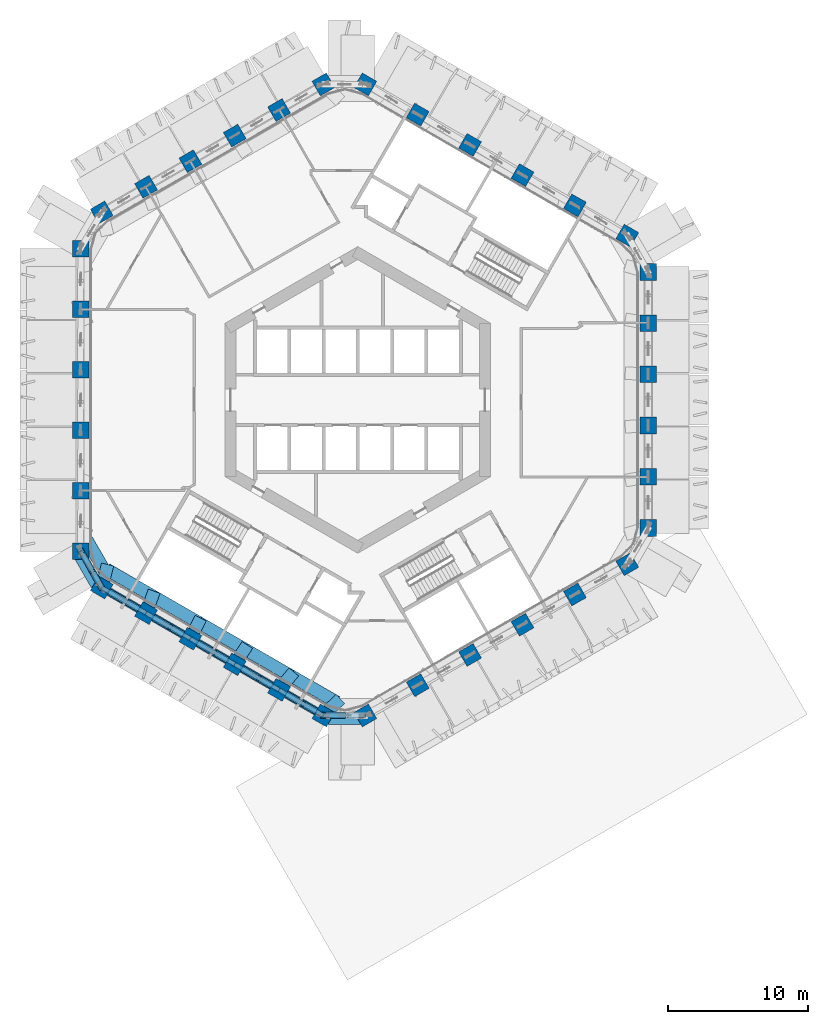
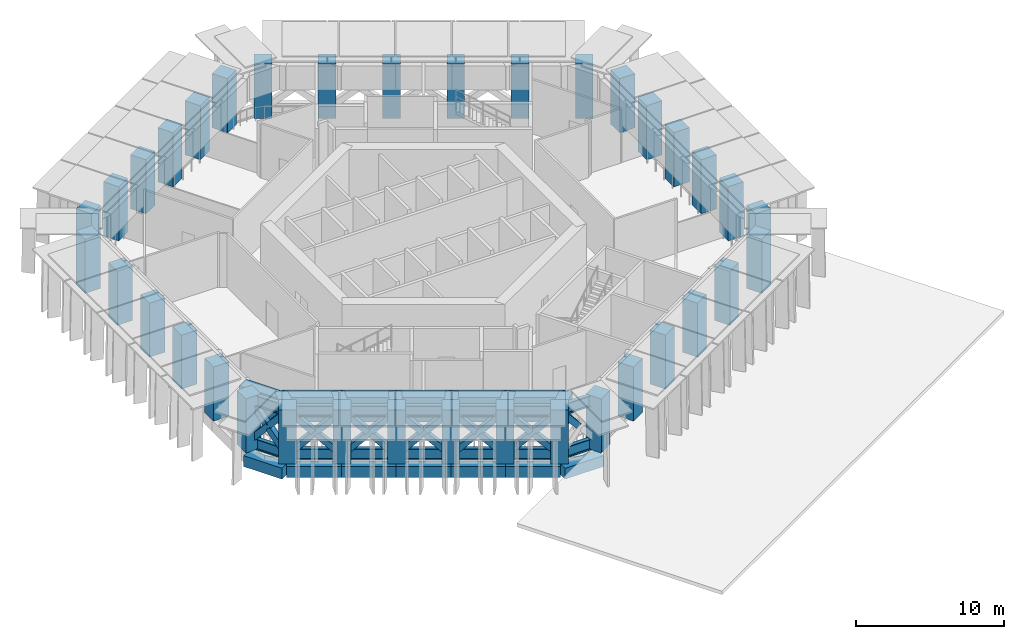
# One storey, part 1 of 16: 36 columns, 33 members, 19 beams.
"""IFC4 building model written with IfcOpenShell, lengths in metres."""

from ifc_helpers import new_model, si_unit, direction, frame, origin, origin_2d, place, context, subcontext, project, spatial, rectangle, hollow_rectangle, i_section, extrude, material, material_profile, profile_set, type_object, element, save


model = new_model("IFC4")

# Units and contexts
model_context = context("Model", 3, precision=1e-05, world=origin(), true_north=direction((0.0, 1.0)))
body_context = subcontext(model_context, "Body", "Model", "MODEL_VIEW")
ifc_project = project(units=[si_unit("LENGTHUNIT", "METRE"), si_unit("AREAUNIT", "SQUARE_METRE"), si_unit("VOLUMEUNIT", "CUBIC_METRE"), si_unit("PLANEANGLEUNIT", "RADIAN"), si_unit("MASSUNIT", "GRAM", prefix="KILO")], contexts=[model_context])

# Site, building, storey
site_placement = place(None, origin())
site = spatial("IfcSite", under=ifc_project, at=site_placement, CompositionType="ELEMENT")
building_placement = place(site_placement, origin())
building = spatial("IfcBuilding", under=site, at=building_placement, Name="Ayvan Gate Tower", CompositionType="ELEMENT")
storey_placement = place(building_placement, frame((0.0, 0.0, 78.300048828125)))
storey = spatial("IfcBuildingStorey", under=building, at=storey_placement, Name="L20", CompositionType="ELEMENT", Elevation=78.300048828125)

# Columns
ifc_material_1 = material(Name="Concrete C70/85", Category="concrete")
ifc_material_profile_1 = material_profile(ifc_material_1, rectangle(XDim=1.199951171875, YDim=1.199951171875, at=origin_2d()), Name="RC 1200x1200")
ifc_profile_set_1 = profile_set([ifc_material_profile_1], Name="Concrete C70/85")
column_type = type_object("IfcColumnType", Name="Tube column RC 1200x1200 C70/85", PredefinedType="COLUMN", material=ifc_profile_set_1)
for number, where, z_axis, x_axis, name in (
    (1, (20.78466796875, -9.158935546875, 0.0), (0.0, 0.0, 1.0), (1.0, 0.0, 0.0), "C-T0-0-L20"),
    (2, (20.78466796875, -5.495361328125, 0.0), (0.0, 0.0, 1.0), (1.0, 0.0, 0.0), "C-T0-1-L20"),
    (3, (20.78466796875, -1.831787109375, 0.0), (0.0, 0.0, 1.0), (1.0, 0.0, 0.0), "C-T0-2-L20"),
    (4, (20.78466796875, 1.831787109375, 0.0), (0.0, 0.0, 1.0), (1.0, 0.0, 0.0), "C-T0-3-L20"),
    (5, (20.78466796875, 5.495361328125, 0.0), (0.0, 0.0, 1.0), (1.0, 0.0, 0.0), "C-T0-4-L20"),
    (6, (20.78466796875, 9.158935546875, 0.0), (0.0, 0.0, 1.0), (1.0, 0.0, 0.0), "C-T0-5-L20"),
    (7, (19.28466796875, 11.757080078125, 0.0), (0.0, 0.0, 1.0), (0.5, 0.866025403784, 0.0), "C-T1-0-L20"),
    (8, (15.53564453125, 13.92138671875, 0.0), (0.0, 0.0, 1.0), (0.5, 0.866025403784, 0.0), "C-T1-1-L20"),
    (9, (11.78662109375, 16.0859375, 0.0), (0.0, 0.0, 1.0), (0.5, 0.866025403784, 0.0), "C-T1-2-L20"),
    (10, (8.03759765625, 18.25048828125, 0.0), (0.0, 0.0, 1.0), (0.5, 0.866025403784, 0.0), "C-T1-3-L20"),
    (11, (4.28857421875, 20.4150390625, 0.0), (0.0, 0.0, 1.0), (0.5, 0.866025403784, 0.0), "C-T1-4-L20"),
    (12, (0.53955078125, 22.579345703125, 0.0), (0.0, 0.0, 1.0), (0.5, 0.866025403784, 0.0), "C-T1-5-L20"),
    (13, (-2.46044921875, 22.579345703125, 0.0), (0.0, 0.0, 1.0), (-0.5, 0.866025403784, 0.0), "C-T2-0-L20"),
    (14, (-5.63330078125, 20.74755859375, 0.0), (0.0, 0.0, 1.0), (-0.5, 0.866025403784, 0.0), "C-T2-1-L20"),
    (15, (-8.805908203125, 18.915771484375, 0.0), (0.0, 0.0, 1.0), (-0.5, 0.866025403784, 0.0), "C-T2-2-L20"),
    (16, (-11.978759765625, 17.084228515625, 0.0), (0.0, 0.0, 1.0), (-0.5, 0.866025403784, 0.0), "C-T2-3-L20"),
    (17, (-15.1513671875, 15.25244140625, 0.0), (0.0, 0.0, 1.0), (-0.5, 0.866025403784, 0.0), "C-T2-4-L20"),
    (18, (-18.32421875, 13.420654296875, 0.0), (0.0, 0.0, 1.0), (-0.5, 0.866025403784, 0.0), "C-T2-5-L20"),
    (19, (-19.82421875, 10.822509765625, 0.0), (0.0, 0.0, 1.0), (-1.0, 0.0, 0.0), "C-T3-0-L20"),
    (20, (-19.82421875, 6.493408203125, 0.0), (0.0, 0.0, 1.0), (-1.0, 0.0, 0.0), "C-T3-1-L20"),
    (21, (-19.82421875, 2.16455078125, 0.0), (0.0, 0.0, 1.0), (-1.0, 0.0, 0.0), "C-T3-2-L20"),
    (22, (-19.82421875, -2.16455078125, 0.0), (0.0, 0.0, 1.0), (-1.0, 0.0, 0.0), "C-T3-3-L20"),
    (23, (-19.82421875, -6.493408203125, 0.0), (0.0, 0.0, 1.0), (-1.0, 0.0, 0.0), "C-T3-4-L20"),
    (24, (-19.82421875, -10.822509765625, 0.0), (0.0, 0.0, 1.0), (-1.0, 0.0, 0.0), "C-T3-5-L20"),
    (25, (-18.32421875, -13.420654296875, 0.0), (0.0, 0.0, 1.0), (-0.5, -0.866025403784, 0.0), "C-T4-0-L20"),
    (26, (-15.1513671875, -15.25244140625, 0.0), (0.0, 0.0, 1.0), (-0.5, -0.866025403784, 0.0), "C-T4-1-L20"),
    (27, (-11.978759765625, -17.084228515625, 0.0), (0.0, 0.0, 1.0), (-0.5, -0.866025403784, 0.0), "C-T4-2-L20"),
    (28, (-8.805908203125, -18.915771484375, 0.0), (0.0, 0.0, 1.0), (-0.5, -0.866025403784, 0.0), "C-T4-3-L20"),
    (29, (-5.63330078125, -20.74755859375, 0.0), (0.0, 0.0, 1.0), (-0.5, -0.866025403784, 0.0), "C-T4-4-L20"),
    (30, (-2.46044921875, -22.579345703125, 0.0), (0.0, 0.0, 1.0), (-0.5, -0.866025403784, 0.0), "C-T4-5-L20"),
    (31, (0.53955078125, -22.579345703125, 0.0), (0.0, 0.0, 1.0), (0.5, -0.866025403784, 0.0), "C-T5-0-L20"),
    (32, (4.28857421875, -20.4150390625, 0.0), (0.0, 0.0, 1.0), (0.5, -0.866025403784, 0.0), "C-T5-1-L20"),
    (33, (8.03759765625, -18.25048828125, 0.0), (0.0, 0.0, 1.0), (0.5, -0.866025403784, 0.0), "C-T5-2-L20"),
    (34, (11.78662109375, -16.0859375, 0.0), (0.0, 0.0, 1.0), (0.5, -0.866025403784, 0.0), "C-T5-3-L20"),
    (35, (15.53564453125, -13.92138671875, 0.0), (0.0, 0.0, 1.0), (0.5, -0.866025403784, 0.0), "C-T5-4-L20"),
    (36, (19.28466796875, -11.757080078125, 0.0), (0.0, 0.0, 1.0), (0.5, -0.866025403784, 0.0), "C-T5-5-L20"),
):
    element("IfcColumn", number, at=place(storey_placement, frame(where, z_axis=z_axis, x_axis=x_axis)), inside=storey, type_object=column_type, Name=name, PredefinedType="COLUMN", context=body_context, shape_type="SweptSolid", body=[
        extrude(rectangle(XDim=1.199951171875, YDim=1.199951171875, at=origin_2d()), origin(), (0.0, 0.0, 1.0), 4.449951171875),
    ])

# Members
ifc_material_2 = material(Name="Steel S460ML", Category="steel")
ifc_material_profile_2 = material_profile(ifc_material_2, hollow_rectangle(XDim=0.449951171875, YDim=0.449951171875, WallThickness=0.02490234375, at=origin_2d()), Name="BOX 450x450x25")
ifc_profile_set_2 = profile_set([ifc_material_profile_2], Name="Steel S460ML")
member_type_1 = type_object("IfcMemberType", Name="Belt truss brace BT1 BOX 450x450x25", PredefinedType="BRACE", material=ifc_profile_set_2)
member_1_placement = place(storey_placement, frame((-19.855224609375, -10.8046875, 0.449951171875), z_axis=(0.333176737302, -0.561786596125, 0.757224591607), x_axis=(0.860112759068, 0.510103951846, 0.0)))
element("IfcMember", 37, at=member_1_placement, inside=storey, type_object=member_type_1, Name="BT1-DA-24", PredefinedType="BRACE", context=body_context, shape_type="SweptSolid", body=[
    extrude(hollow_rectangle(XDim=0.449951171875, YDim=0.449951171875, WallThickness=0.02490234375, at=origin_2d()), origin(), (0.0, 0.0, 1.0), 4.688232421875),
])
member_2_placement = place(storey_placement, frame((-18.355224609375, -13.402587890625, 0.449951171875), z_axis=(-0.312042920447, 0.555977227908, 0.770401543253), x_axis=(-0.872040452844, -0.489433804109, 0.0)))
element("IfcMember", 38, at=member_2_placement, inside=storey, type_object=member_type_1, Name="BT1-DB-24", PredefinedType="BRACE", context=body_context, shape_type="SweptSolid", body=[
    extrude(hollow_rectangle(XDim=0.449951171875, YDim=0.449951171875, WallThickness=0.02490234375, at=origin_2d()), origin(), (0.0, 0.0, 1.0), 2.17578125),
])
member_3_placement = place(storey_placement, frame((-19.1142578125, -12.05029296875, 2.32373046875), z_axis=(-0.312023453947, 0.556054742093, 0.770353482489), x_axis=(-0.872082601227, -0.489358699357, 0.0)))
element("IfcMember", 39, at=member_3_placement, inside=storey, type_object=member_type_1, Name="BT1-DC-24", PredefinedType="BRACE", context=body_context, shape_type="SweptSolid", body=[
    extrude(hollow_rectangle(XDim=0.449951171875, YDim=0.449951171875, WallThickness=0.02490234375, at=origin_2d()), origin(), (0.0, 0.0, 1.0), 2.176025390625),
])
member_4_placement = place(storey_placement, frame((-18.355224609375, -13.402587890625, 0.449951171875), z_axis=(0.626584594899, -0.361785074454, 0.69029218838), x_axis=(0.500027251449, 0.866009669581, 0.0)))
element("IfcMember", 40, at=member_4_placement, inside=storey, type_object=member_type_1, Name="BT1-DA-25", PredefinedType="BRACE", context=body_context, shape_type="SweptSolid", body=[
    extrude(hollow_rectangle(XDim=0.449951171875, YDim=0.449951171875, WallThickness=0.02490234375, at=origin_2d()), origin(), (0.0, 0.0, 1.0), 5.142822265625),
])
member_5_placement = place(storey_placement, frame((-15.169921875, -15.24169921875, 0.449951171875), z_axis=(-0.617182078727, 0.356358202705, 0.70149491307), x_axis=(-0.500029427677, -0.866008413041, 0.0)))
element("IfcMember", 41, at=member_5_placement, inside=storey, type_object=member_type_1, Name="BT1-DB-25", PredefinedType="BRACE", context=body_context, shape_type="SweptSolid", body=[
    extrude(hollow_rectangle(XDim=0.449951171875, YDim=0.449951171875, WallThickness=0.02490234375, at=origin_2d()), origin(), (0.0, 0.0, 1.0), 2.4150390625),
])
member_6_placement = place(storey_placement, frame((-16.81494140625, -14.2919921875, 2.319580078125), z_axis=(-0.61714834978, 0.356325455133, 0.701541220733), x_axis=(-0.500015459501, -0.866016478054, 0.0)))
element("IfcMember", 42, at=member_6_placement, inside=storey, type_object=member_type_1, Name="BT1-DC-25", PredefinedType="BRACE", context=body_context, shape_type="SweptSolid", body=[
    extrude(hollow_rectangle(XDim=0.449951171875, YDim=0.449951171875, WallThickness=0.02490234375, at=origin_2d()), origin(), (0.0, 0.0, 1.0), 2.395263671875),
])
member_7_placement = place(storey_placement, frame((-15.169921875, -15.24169921875, 0.449951171875), z_axis=(0.62427509274, -0.360398868153, 0.693104079066), x_axis=(0.499972401965, 0.866041336931, 0.0)))
element("IfcMember", 43, at=member_7_placement, inside=storey, type_object=member_type_1, Name="BT1-DA-26", PredefinedType="BRACE", context=body_context, shape_type="SweptSolid", body=[
    extrude(hollow_rectangle(XDim=0.449951171875, YDim=0.449951171875, WallThickness=0.02490234375, at=origin_2d()), origin(), (0.0, 0.0, 1.0), 5.1220703125),
])
member_8_placement = place(storey_placement, frame((-11.98486328125, -17.08056640625, 0.449951171875), z_axis=(-0.619563969689, 0.357746604106, 0.69868294291), x_axis=(-0.500043168532, -0.866000478986, 0.0)))
element("IfcMember", 44, at=member_8_placement, inside=storey, type_object=member_type_1, Name="BT1-DB-26", PredefinedType="BRACE", context=body_context, shape_type="SweptSolid", body=[
    extrude(hollow_rectangle(XDim=0.449951171875, YDim=0.449951171875, WallThickness=0.02490234375, at=origin_2d()), origin(), (0.0, 0.0, 1.0), 2.42529296875),
])
member_9_placement = place(storey_placement, frame((-13.642578125, -16.12353515625, 2.3193359375), z_axis=(-0.61955385176, 0.357684759765, 0.698723577247), x_axis=(-0.49998445949, -0.866034375916, 0.0)))
element("IfcMember", 45, at=member_9_placement, inside=storey, type_object=member_type_1, Name="BT1-DC-26", PredefinedType="BRACE", context=body_context, shape_type="SweptSolid", body=[
    extrude(hollow_rectangle(XDim=0.449951171875, YDim=0.449951171875, WallThickness=0.02490234375, at=origin_2d()), origin(), (0.0, 0.0, 1.0), 2.4052734375),
])
member_10_placement = place(storey_placement, frame((-11.98486328125, -17.08056640625, 0.449951171875), z_axis=(0.621945125343, -0.359068503805, 0.695883661712), x_axis=(0.499987800209, 0.866032447223, 0.0)))
element("IfcMember", 46, at=member_10_placement, inside=storey, type_object=member_type_1, Name="BT1-DA-27", PredefinedType="BRACE", context=body_context, shape_type="SweptSolid", body=[
    extrude(hollow_rectangle(XDim=0.449951171875, YDim=0.449951171875, WallThickness=0.02490234375, at=origin_2d()), origin(), (0.0, 0.0, 1.0), 5.1015625),
])
member_11_placement = place(storey_placement, frame((-8.7998046875, -18.91943359375, 0.449951171875), z_axis=(-0.621920264004, 0.359077753975, 0.695901107788), x_axis=(-0.500012451049, -0.866018215049, 0.0)))
element("IfcMember", 47, at=member_11_placement, inside=storey, type_object=member_type_1, Name="BT1-DB-27", PredefinedType="BRACE", context=body_context, shape_type="SweptSolid", body=[
    extrude(hollow_rectangle(XDim=0.449951171875, YDim=0.449951171875, WallThickness=0.02490234375, at=origin_2d()), origin(), (0.0, 0.0, 1.0), 2.435546875),
])
member_12_placement = place(storey_placement, frame((-10.47021484375, -17.955078125, 2.31884765625), z_axis=(-0.621863539639, 0.359090062788, 0.695945446766), x_axis=(-0.500059511286, -0.865991042201, 0.0)))
element("IfcMember", 48, at=member_12_placement, inside=storey, type_object=member_type_1, Name="BT1-DC-27", PredefinedType="BRACE", context=body_context, shape_type="SweptSolid", body=[
    extrude(hollow_rectangle(XDim=0.449951171875, YDim=0.449951171875, WallThickness=0.02490234375, at=origin_2d()), origin(), (0.0, 0.0, 1.0), 2.41552734375),
])
member_13_placement = place(storey_placement, frame((-8.7998046875, -18.91943359375, 0.449951171875), z_axis=(0.619568080226, -0.357690770064, 0.698707883866), x_axis=(0.499982148691, 0.866035709997, 0.0)))
element("IfcMember", 49, at=member_13_placement, inside=storey, type_object=member_type_1, Name="BT1-DA-28", PredefinedType="BRACE", context=body_context, shape_type="SweptSolid", body=[
    extrude(hollow_rectangle(XDim=0.449951171875, YDim=0.449951171875, WallThickness=0.02490234375, at=origin_2d()), origin(), (0.0, 0.0, 1.0), 5.080810546875),
])
member_14_placement = place(storey_placement, frame((-5.614501953125, -20.75830078125, 0.449951171875), z_axis=(-0.624326554101, 0.360322759441, 0.69309729683), x_axis=(-0.49986229611, -0.866104892567, 0.0)))
element("IfcMember", 50, at=member_14_placement, inside=storey, type_object=member_type_1, Name="BT1-DB-28", PredefinedType="BRACE", context=body_context, shape_type="SweptSolid", body=[
    extrude(hollow_rectangle(XDim=0.449951171875, YDim=0.449951171875, WallThickness=0.02490234375, at=origin_2d()), origin(), (0.0, 0.0, 1.0), 2.446044921875),
])
member_15_placement = place(storey_placement, frame((-7.297607421875, -19.78662109375, 2.318603515625), z_axis=(-0.624271959053, 0.360393017148, 0.693109943898), x_axis=(-0.499968196347, -0.866043764853, 0.0)))
element("IfcMember", 51, at=member_15_placement, inside=storey, type_object=member_type_1, Name="BT1-DC-28", PredefinedType="BRACE", context=body_context, shape_type="SweptSolid", body=[
    extrude(hollow_rectangle(XDim=0.449951171875, YDim=0.449951171875, WallThickness=0.02490234375, at=origin_2d()), origin(), (0.0, 0.0, 1.0), 2.42578125),
])
member_16_placement = place(storey_placement, frame((-5.614501953125, -20.75830078125, 0.449951171875), z_axis=(0.617151354153, -0.356338328782, 0.701532038832), x_axis=(0.500027182209, 0.86600970956, 0.0)))
element("IfcMember", 52, at=member_16_placement, inside=storey, type_object=member_type_1, Name="BT1-DA-29", PredefinedType="BRACE", context=body_context, shape_type="SweptSolid", body=[
    extrude(hollow_rectangle(XDim=0.449951171875, YDim=0.449951171875, WallThickness=0.02490234375, at=origin_2d()), origin(), (0.0, 0.0, 1.0), 5.060302734375),
])
member_17_placement = place(storey_placement, frame((-2.429443359375, -22.597412109375, 0.449951171875), z_axis=(-0.626579979584, 0.361794277551, 0.690291554284), x_axis=(-0.500039553057, -0.866002566612, 0.0)))
element("IfcMember", 53, at=member_17_placement, inside=storey, type_object=member_type_1, Name="BT1-DB-29", PredefinedType="BRACE", context=body_context, shape_type="SweptSolid", body=[
    extrude(hollow_rectangle(XDim=0.449951171875, YDim=0.449951171875, WallThickness=0.02490234375, at=origin_2d()), origin(), (0.0, 0.0, 1.0), 2.456298828125),
])
member_18_placement = place(storey_placement, frame((-4.125244140625, -21.6181640625, 2.318359375), z_axis=(-0.626627811825, 0.361766576153, 0.690262652782), x_axis=(-0.499982213141, -0.866035672789, 0.0)))
element("IfcMember", 54, at=member_18_placement, inside=storey, type_object=member_type_1, Name="BT1-DC-29", PredefinedType="BRACE", context=body_context, shape_type="SweptSolid", body=[
    extrude(hollow_rectangle(XDim=0.449951171875, YDim=0.449951171875, WallThickness=0.02490234375, at=origin_2d()), origin(), (0.0, 0.0, 1.0), 2.436279296875),
])
member_19_placement = place(storey_placement, frame((-1.044189453125, -22.578369140625, 2.322021484375), z_axis=(-0.653110344728, 0.007601992879, 0.757224595027), x_axis=(-0.01163888771, -0.999932265852, 0.0)))
element("IfcMember", 55, at=member_19_placement, inside=storey, type_object=member_type_1, Name="BT1-DC-30", PredefinedType="BRACE", context=body_context, shape_type="SweptSolid", body=[
    extrude(hollow_rectangle(XDim=0.449951171875, YDim=0.449951171875, WallThickness=0.02490234375, at=origin_2d()), origin(), (0.0, 0.0, 1.0), 2.216064453125),
])
ifc_material_profile_3 = material_profile(ifc_material_2, i_section(OverallWidth=0.300048828125, OverallDepth=0.89990234375, WebThickness=0.0185546875, FlangeThickness=0.034912109375, FilletRadius=0.030029296875, at=origin_2d()), Name="HE 900 B")
ifc_profile_set_3 = profile_set([ifc_material_profile_3], Name="Steel S460ML")
member_type_2 = type_object("IfcMemberType", Name="Belt truss chord BT1 HE 900 B", PredefinedType="CHORD", material=ifc_profile_set_3)
member_20_placement = place(storey_placement, frame((-19.855224609375, -10.8046875, 0.449951171875), z_axis=(0.50002537861, -0.866010750942, 0.0), x_axis=(0.866010750942, 0.50002537861, 0.0)))
element("IfcMember", 56, at=member_20_placement, inside=storey, type_object=member_type_2, Name="BT1-BC-24", PredefinedType="CHORD", context=body_context, shape_type="SweptSolid", body=[
    extrude(i_section(OverallWidth=0.300048828125, OverallDepth=0.89990234375, WebThickness=0.0185546875, FlangeThickness=0.034912109375, FilletRadius=0.030029296875, at=origin_2d()), origin(), (0.0, 0.0, 1.0), 2.999755859375),
])
member_21_placement = place(storey_placement, frame((-19.793212890625, -10.84033203125, 4.0), z_axis=(0.499990139034, -0.866031096941, 0.0), x_axis=(0.866031096941, 0.499990139034, 0.0)))
element("IfcMember", 57, at=member_21_placement, inside=storey, type_object=member_type_2, Name="BT1-TC-24", PredefinedType="CHORD", context=body_context, shape_type="SweptSolid", body=[
    extrude(i_section(OverallWidth=0.300048828125, OverallDepth=0.89990234375, WebThickness=0.0185546875, FlangeThickness=0.034912109375, FilletRadius=0.030029296875, at=origin_2d()), origin(), (0.0, 0.0, 1.0), 3.0),
])
member_22_placement = place(storey_placement, frame((-18.355224609375, -13.402587890625, 0.449951171875), z_axis=(0.866016463813, -0.500015484165, 0.0), x_axis=(0.500015484165, 0.866016463813, 0.0)))
element("IfcMember", 58, at=member_22_placement, inside=storey, type_object=member_type_2, Name="BT1-BC-25", PredefinedType="CHORD", context=body_context, shape_type="SweptSolid", body=[
    extrude(i_section(OverallWidth=0.300048828125, OverallDepth=0.89990234375, WebThickness=0.0185546875, FlangeThickness=0.034912109375, FilletRadius=0.030029296875, at=origin_2d()), origin(), (0.0, 0.0, 1.0), 3.67822265625),
])
member_23_placement = place(storey_placement, frame((-18.293212890625, -13.4384765625, 4.0), z_axis=(0.866019587851, -0.500010073357, 0.0), x_axis=(0.500010073357, 0.866019587851, 0.0)))
element("IfcMember", 59, at=member_23_placement, inside=storey, type_object=member_type_2, Name="BT1-TC-25", PredefinedType="CHORD", context=body_context, shape_type="SweptSolid", body=[
    extrude(i_section(OverallWidth=0.300048828125, OverallDepth=0.89990234375, WebThickness=0.0185546875, FlangeThickness=0.034912109375, FilletRadius=0.030029296875, at=origin_2d()), origin(), (0.0, 0.0, 1.0), 3.6494140625),
])
member_24_placement = place(storey_placement, frame((-15.169921875, -15.24169921875, 0.449951171875), z_axis=(0.866028611999, -0.499994443168, 0.0), x_axis=(0.499994443168, 0.866028611999, 0.0)))
element("IfcMember", 60, at=member_24_placement, inside=storey, type_object=member_type_2, Name="BT1-BC-26", PredefinedType="CHORD", context=body_context, shape_type="SweptSolid", body=[
    extrude(i_section(OverallWidth=0.300048828125, OverallDepth=0.89990234375, WebThickness=0.0185546875, FlangeThickness=0.034912109375, FilletRadius=0.030029296875, at=origin_2d()), origin(), (0.0, 0.0, 1.0), 3.677734375),
])
member_25_placement = place(storey_placement, frame((-15.1328125, -15.26318359375, 4.0), z_axis=(0.866048556275, -0.499959896566, 0.0), x_axis=(0.499959896566, 0.866048556275, 0.0)))
element("IfcMember", 61, at=member_25_placement, inside=storey, type_object=member_type_2, Name="BT1-TC-26", PredefinedType="CHORD", context=body_context, shape_type="SweptSolid", body=[
    extrude(i_section(OverallWidth=0.300048828125, OverallDepth=0.89990234375, WebThickness=0.0185546875, FlangeThickness=0.034912109375, FilletRadius=0.030029296875, at=origin_2d()), origin(), (0.0, 0.0, 1.0), 3.649169921875),
])
member_26_placement = place(storey_placement, frame((-11.98486328125, -17.08056640625, 0.449951171875), z_axis=(0.866028611999, -0.499994443168, 0.0), x_axis=(0.499994443168, 0.866028611999, 0.0)))
element("IfcMember", 62, at=member_26_placement, inside=storey, type_object=member_type_2, Name="BT1-BC-27", PredefinedType="CHORD", context=body_context, shape_type="SweptSolid", body=[
    extrude(i_section(OverallWidth=0.300048828125, OverallDepth=0.89990234375, WebThickness=0.0185546875, FlangeThickness=0.034912109375, FilletRadius=0.030029296875, at=origin_2d()), origin(), (0.0, 0.0, 1.0), 3.677734375),
])
member_27_placement = place(storey_placement, frame((-11.972412109375, -17.087646484375, 4.0), z_axis=(0.866019587851, -0.500010073357, 0.0), x_axis=(0.500010073357, 0.866019587851, 0.0)))
element("IfcMember", 63, at=member_27_placement, inside=storey, type_object=member_type_2, Name="BT1-TC-27", PredefinedType="CHORD", context=body_context, shape_type="SweptSolid", body=[
    extrude(i_section(OverallWidth=0.300048828125, OverallDepth=0.89990234375, WebThickness=0.0185546875, FlangeThickness=0.034912109375, FilletRadius=0.030029296875, at=origin_2d()), origin(), (0.0, 0.0, 1.0), 3.6494140625),
])
member_28_placement = place(storey_placement, frame((-8.7998046875, -18.91943359375, 0.449951171875), z_axis=(0.866045205872, -0.499965700209, 0.0), x_axis=(0.499965700209, 0.866045205872, 0.0)))
element("IfcMember", 64, at=member_28_placement, inside=storey, type_object=member_type_2, Name="BT1-BC-28", PredefinedType="CHORD", context=body_context, shape_type="SweptSolid", body=[
    extrude(i_section(OverallWidth=0.300048828125, OverallDepth=0.89990234375, WebThickness=0.0185546875, FlangeThickness=0.034912109375, FilletRadius=0.030029296875, at=origin_2d()), origin(), (0.0, 0.0, 1.0), 3.677978515625),
])
member_29_placement = place(storey_placement, frame((-8.81201171875, -18.912353515625, 4.0), z_axis=(0.866031831963, -0.499988865904, 0.0), x_axis=(0.499988865904, 0.866031831963, 0.0)))
element("IfcMember", 65, at=member_29_placement, inside=storey, type_object=member_type_2, Name="BT1-TC-28", PredefinedType="CHORD", context=body_context, shape_type="SweptSolid", body=[
    extrude(i_section(OverallWidth=0.300048828125, OverallDepth=0.89990234375, WebThickness=0.0185546875, FlangeThickness=0.034912109375, FilletRadius=0.030029296875, at=origin_2d()), origin(), (0.0, 0.0, 1.0), 3.64892578125),
])
member_30_placement = place(storey_placement, frame((-5.614501953125, -20.75830078125, 0.449951171875), z_axis=(0.865999867186, -0.500044228078, 0.0), x_axis=(0.500044228078, 0.865999867186, 0.0)))
element("IfcMember", 66, at=member_30_placement, inside=storey, type_object=member_type_2, Name="BT1-BC-29", PredefinedType="CHORD", context=body_context, shape_type="SweptSolid", body=[
    extrude(i_section(OverallWidth=0.300048828125, OverallDepth=0.89990234375, WebThickness=0.0185546875, FlangeThickness=0.034912109375, FilletRadius=0.030029296875, at=origin_2d()), origin(), (0.0, 0.0, 1.0), 3.677978515625),
])
member_31_placement = place(storey_placement, frame((-5.65185546875, -20.73681640625, 4.0), z_axis=(0.866019587851, -0.500010073357, 0.0), x_axis=(0.500010073357, 0.866019587851, 0.0)))
element("IfcMember", 67, at=member_31_placement, inside=storey, type_object=member_type_2, Name="BT1-TC-29", PredefinedType="CHORD", context=body_context, shape_type="SweptSolid", body=[
    extrude(i_section(OverallWidth=0.300048828125, OverallDepth=0.89990234375, WebThickness=0.0185546875, FlangeThickness=0.034912109375, FilletRadius=0.030029296875, at=origin_2d()), origin(), (0.0, 0.0, 1.0), 3.6494140625),
])
for number, where, z_axis, x_axis, name in (
    (68, (-2.429443359375, -22.597412109375, 0.449951171875), (1.0, 0.0, 0.0), (0.0, 1.0, 0.0), "BT1-BC-30"),
    (69, (-2.491455078125, -22.5615234375, 4.0), (1.0, 0.0, 0.0), (0.0, 1.0, 0.0), "BT1-TC-30"),
):
    element("IfcMember", number, at=place(storey_placement, frame(where, z_axis=z_axis, x_axis=x_axis)), inside=storey, type_object=member_type_2, Name=name, PredefinedType="CHORD", context=body_context, shape_type="SweptSolid", body=[
        extrude(i_section(OverallWidth=0.300048828125, OverallDepth=0.89990234375, WebThickness=0.0185546875, FlangeThickness=0.034912109375, FilletRadius=0.030029296875, at=origin_2d()), origin(), (0.0, 0.0, 1.0), 3.0),
    ])

# Beams
ifc_material_3 = material(Name="Concrete C40/50", Category="concrete")
ifc_material_profile_4 = material_profile(ifc_material_3, rectangle(XDim=0.800048828125, YDim=0.89990234375, at=origin_2d()), Name="RC 800x900")
ifc_profile_set_4 = profile_set([ifc_material_profile_4], Name="Concrete C40/50")
beam_type_1 = type_object("IfcBeamType", Name="Corner spandrel beam RC 800x900 C40/50", PredefinedType="BEAM", material=ifc_profile_set_4)
for number, where, z_axis, x_axis, name in (
    (70, (-20.068359375, -10.9013671875, -0.85009765625), (0.499990139034, -0.866031096941, 0.0), (0.866031096941, 0.499990139034, 0.0), "SB-L20-24"),
    (71, (-2.40673828125, -22.830322265625, -0.85009765625), (1.0, 0.0, 0.0), (0.0, 1.0, 0.0), "SB-L20-30"),
):
    element("IfcBeam", number, at=place(storey_placement, frame(where, z_axis=z_axis, x_axis=x_axis)), inside=storey, type_object=beam_type_1, Name=name, PredefinedType="BEAM", context=body_context, shape_type="SweptSolid", body=[
        extrude(rectangle(XDim=0.800048828125, YDim=0.89990234375, at=origin_2d()), origin(), (0.0, 0.0, 1.0), 3.0),
    ])
ifc_material_profile_5 = material_profile(ifc_material_3, rectangle(XDim=0.60009765625, YDim=0.89990234375, at=origin_2d()), Name="RC 600x900")
ifc_profile_set_5 = profile_set([ifc_material_profile_5], Name="Concrete C40/50")
beam_type_2 = type_object("IfcBeamType", Name="Spandrel beam RC 600x900 C40/50", PredefinedType="BEAM", material=ifc_profile_set_5)
beam_1_placement = place(storey_placement, frame((-18.3779296875, -13.3896484375, -0.85009765625), z_axis=(0.866055523696, -0.499947827154, 0.0), x_axis=(0.499947827154, 0.866055523696, 0.0)))
element("IfcBeam", 72, at=beam_1_placement, inside=storey, type_object=beam_type_2, Name="SB-L20-25", PredefinedType="BEAM", context=body_context, shape_type="SweptSolid", body=[
    extrude(rectangle(XDim=0.60009765625, YDim=0.89990234375, at=origin_2d()), origin(), (0.0, 0.0, 1.0), 3.6884765625),
])
beam_2_placement = place(storey_placement, frame((-15.18359375, -15.233642578125, -0.85009765625), z_axis=(0.866010314562, -0.500026134388, 0.0), x_axis=(0.500026134388, 0.866010314562, 0.0)))
element("IfcBeam", 73, at=beam_2_placement, inside=storey, type_object=beam_type_2, Name="SB-L20-26", PredefinedType="BEAM", context=body_context, shape_type="SweptSolid", body=[
    extrude(rectangle(XDim=0.60009765625, YDim=0.89990234375, at=origin_2d()), origin(), (0.0, 0.0, 1.0), 3.688232421875),
])
beam_3_placement = place(storey_placement, frame((-11.989501953125, -17.077880859375, -0.85009765625), z_axis=(0.866026863259, -0.499997472108, 0.0), x_axis=(0.499997472108, 0.866026863259, 0.0)))
element("IfcBeam", 74, at=beam_3_placement, inside=storey, type_object=beam_type_2, Name="SB-L20-27", PredefinedType="BEAM", context=body_context, shape_type="SweptSolid", body=[
    extrude(rectangle(XDim=0.60009765625, YDim=0.89990234375, at=origin_2d()), origin(), (0.0, 0.0, 1.0), 3.6884765625),
])
beam_4_placement = place(storey_placement, frame((-8.795166015625, -18.922119140625, -0.85009765625), z_axis=(0.866010314562, -0.500026134388, 0.0), x_axis=(0.500026134388, 0.866010314562, 0.0)))
element("IfcBeam", 75, at=beam_4_placement, inside=storey, type_object=beam_type_2, Name="SB-L20-28", PredefinedType="BEAM", context=body_context, shape_type="SweptSolid", body=[
    extrude(rectangle(XDim=0.60009765625, YDim=0.89990234375, at=origin_2d()), origin(), (0.0, 0.0, 1.0), 3.688232421875),
])
beam_5_placement = place(storey_placement, frame((-5.60107421875, -20.766357421875, -0.85009765625), z_axis=(0.866055523696, -0.499947827154, 0.0), x_axis=(0.499947827154, 0.866055523696, 0.0)))
element("IfcBeam", 76, at=beam_5_placement, inside=storey, type_object=beam_type_2, Name="SB-L20-29", PredefinedType="BEAM", context=body_context, shape_type="SweptSolid", body=[
    extrude(rectangle(XDim=0.60009765625, YDim=0.89990234375, at=origin_2d()), origin(), (0.0, 0.0, 1.0), 3.6884765625),
])
ifc_material_profile_6 = material_profile(ifc_material_2, hollow_rectangle(XDim=0.89990234375, YDim=2.0, WallThickness=0.06005859375, at=origin_2d()), Name="BOX 900x2000x60")
ifc_profile_set_6 = profile_set([ifc_material_profile_6], Name="Steel S460ML")
beam_type_3 = type_object("IfcBeamType", Name="Transfer ring girder BOX 900x2000x60", PredefinedType="BEAM", material=ifc_profile_set_6)
beam_6_placement = place(storey_placement, frame((-19.6328125, -9.60302734375, 3.449951171875), z_axis=(0.50002537861, -0.866010750942, 0.0), x_axis=(0.866010750942, 0.50002537861, 0.0)))
element("IfcBeam", 77, at=beam_6_placement, inside=storey, type_object=beam_type_3, Name="TR-L20-24", PredefinedType="BEAM", context=body_context, shape_type="SweptSolid", body=[
    extrude(hollow_rectangle(XDim=0.89990234375, YDim=2.0, WallThickness=0.06005859375, at=origin_2d()), origin(), (0.0, 0.0, 1.0), 2.999755859375),
])
for number, where, z_axis, x_axis, name in (
    (78, (-17.985595703125, -12.115966796875, 3.449951171875), (0.866028607742, -0.499994450542, 0.0), (0.499994450542, 0.866028607742, 0.0), "TR-L20-25"),
    (79, (-14.6884765625, -14.01953125, 3.449951171875), (0.866028607742, -0.499994450542, 0.0), (0.499994450542, 0.866028607742, 0.0), "TR-L20-26"),
):
    element("IfcBeam", number, at=place(storey_placement, frame(where, z_axis=z_axis, x_axis=x_axis)), inside=storey, type_object=beam_type_3, Name=name, PredefinedType="BEAM", context=body_context, shape_type="SweptSolid", body=[
        extrude(hollow_rectangle(XDim=0.89990234375, YDim=2.0, WallThickness=0.06005859375, at=origin_2d()), origin(), (0.0, 0.0, 1.0), 3.80712890625),
    ])
beam_7_placement = place(storey_placement, frame((-11.391357421875, -15.923095703125, 3.449951171875), z_axis=(0.866000839906, -0.500042543472, 0.0), x_axis=(0.500042543472, 0.866000839906, 0.0)))
element("IfcBeam", 80, at=beam_7_placement, inside=storey, type_object=beam_type_3, Name="TR-L20-27", PredefinedType="BEAM", context=body_context, shape_type="SweptSolid", body=[
    extrude(hollow_rectangle(XDim=0.89990234375, YDim=2.0, WallThickness=0.06005859375, at=origin_2d()), origin(), (0.0, 0.0, 1.0), 3.807373046875),
])
for number, where, z_axis, x_axis, name in (
    (81, (-8.09423828125, -17.826904296875, 3.449951171875), (0.866028607742, -0.499994450542, 0.0), (0.499994450542, 0.866028607742, 0.0), "TR-L20-28"),
    (82, (-4.797119140625, -19.73046875, 3.449951171875), (0.866028607742, -0.499994450542, 0.0), (0.499994450542, 0.866028607742, 0.0), "TR-L20-29"),
):
    element("IfcBeam", number, at=place(storey_placement, frame(where, z_axis=z_axis, x_axis=x_axis)), inside=storey, type_object=beam_type_3, Name=name, PredefinedType="BEAM", context=body_context, shape_type="SweptSolid", body=[
        extrude(hollow_rectangle(XDim=0.89990234375, YDim=2.0, WallThickness=0.06005859375, at=origin_2d()), origin(), (0.0, 0.0, 1.0), 3.80712890625),
    ])
beam_8_placement = place(storey_placement, frame((-18.41357421875, -13.892578125, 3.449951171875), z_axis=(0.234242258358, 0.972178257522, 0.0), x_axis=(-0.972178257522, 0.234242258358, 0.0)))
element("IfcBeam", 83, at=beam_8_placement, inside=storey, type_object=beam_type_3, Name="TS-L20-T4-0", PredefinedType="BEAM", context=body_context, shape_type="SweptSolid", body=[
    extrude(hollow_rectangle(XDim=0.89990234375, YDim=2.0, WallThickness=0.06005859375, at=origin_2d()), origin(), (0.0, 0.0, 1.0), 2.17724609375),
])
beam_9_placement = place(storey_placement, frame((-15.305908203125, -15.720703125, 3.449951171875), z_axis=(0.341180235057, 0.939997897448, 0.0), x_axis=(-0.939997897448, 0.341180235057, 0.0)))
element("IfcBeam", 84, at=beam_9_placement, inside=storey, type_object=beam_type_3, Name="TS-L20-T4-1", PredefinedType="BEAM", context=body_context, shape_type="SweptSolid", body=[
    extrude(hollow_rectangle(XDim=0.89990234375, YDim=2.0, WallThickness=0.06005859375, at=origin_2d()), origin(), (0.0, 0.0, 1.0), 2.15966796875),
])
for number, where, z_axis, x_axis, name in (
    (85, (-12.1982421875, -17.532958984375, 3.449951171875), (0.448076163939, 0.893995386627, 0.0), (-0.893995386627, 0.448076163939, 0.0), "TS-L20-T4-2"),
    (86, (-9.0849609375, -19.330322265625, 3.449951171875), (0.550212636588, 0.835024583194, 0.0), (-0.835024583194, 0.550212636588, 0.0), "TS-L20-T4-3"),
):
    element("IfcBeam", number, at=place(storey_placement, frame(where, z_axis=z_axis, x_axis=x_axis)), inside=storey, type_object=beam_type_3, Name=name, PredefinedType="BEAM", context=body_context, shape_type="SweptSolid", body=[
        extrude(hollow_rectangle(XDim=0.89990234375, YDim=2.0, WallThickness=0.06005859375, at=origin_2d()), origin(), (0.0, 0.0, 1.0), 2.150634765625),
    ])
beam_10_placement = place(storey_placement, frame((-5.961669921875, -21.11572265625, 3.449951171875), z_axis=(0.643425347982, 0.765508864465, 0.0), x_axis=(-0.765508864465, 0.643425347982, 0.0)))
element("IfcBeam", 87, at=beam_10_placement, inside=storey, type_object=beam_type_3, Name="TS-L20-T4-4", PredefinedType="BEAM", context=body_context, shape_type="SweptSolid", body=[
    extrude(hollow_rectangle(XDim=0.89990234375, YDim=2.0, WallThickness=0.06005859375, at=origin_2d()), origin(), (0.0, 0.0, 1.0), 2.15966796875),
])
beam_11_placement = place(storey_placement, frame((-2.824462890625, -22.892822265625, 3.449951171875), z_axis=(0.72482023387, 0.688938044074, 0.0), x_axis=(-0.688938044074, 0.72482023387, 0.0)))
element("IfcBeam", 88, at=beam_11_placement, inside=storey, type_object=beam_type_3, Name="TS-L20-T4-5", PredefinedType="BEAM", context=body_context, shape_type="SweptSolid", body=[
    extrude(hollow_rectangle(XDim=0.89990234375, YDim=2.0, WallThickness=0.06005859375, at=origin_2d()), origin(), (0.0, 0.0, 1.0), 2.17724609375),
])

save(model, "model.ifc")
